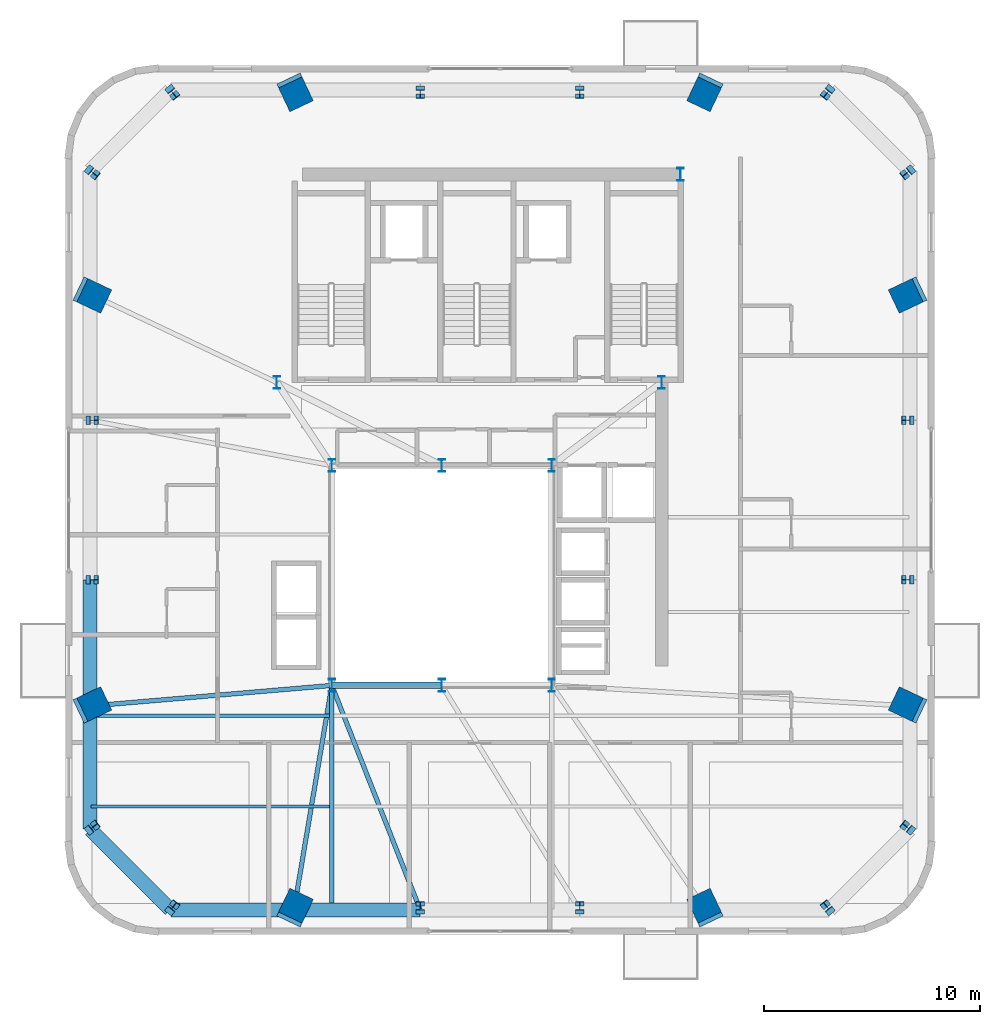
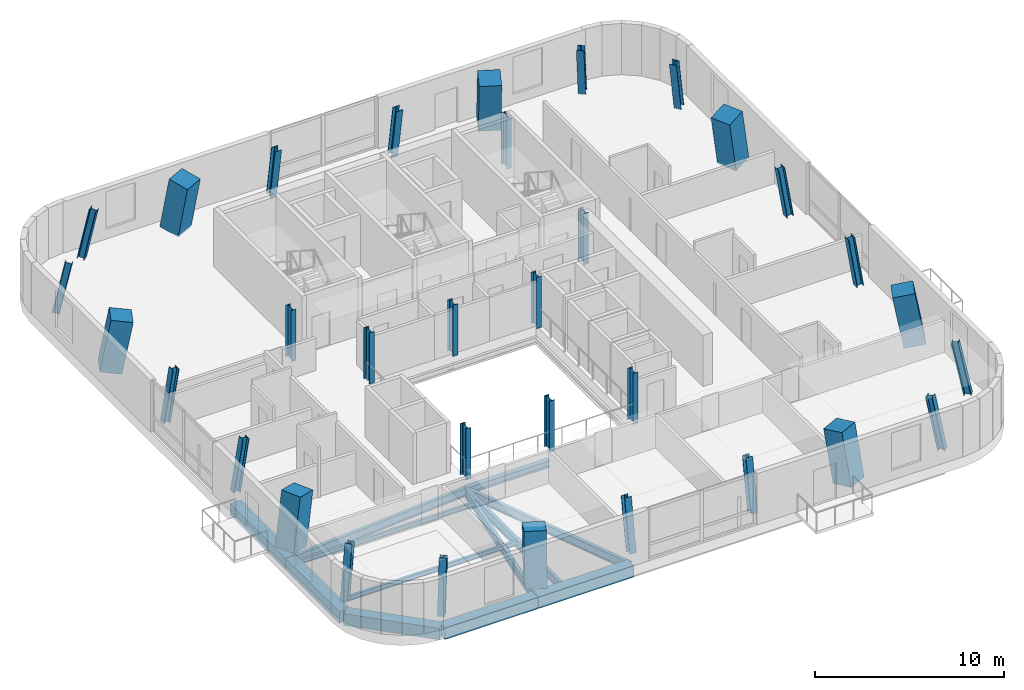
# One storey, part 1 of 13: 33 columns, 12 beams.
"""IFC4 building model written with IfcOpenShell, lengths in metres."""

from ifc_helpers import new_model, si_unit, direction, frame, origin, origin_2d, place, context, subcontext, project, spatial, rectangle, i_section, extrude, source, transform, mapped, material, material_profile, profile_set, type_object, element, save


model = new_model("IFC4")

# Units and contexts
model_context = context("Model", 3, precision=1e-05, world=origin(), true_north=direction((0.0, 1.0)))
body_context = subcontext(model_context, "Body", "Model", "MODEL_VIEW")
ifc_project = project(units=[si_unit("LENGTHUNIT", "METRE"), si_unit("AREAUNIT", "SQUARE_METRE"), si_unit("VOLUMEUNIT", "CUBIC_METRE"), si_unit("PLANEANGLEUNIT", "RADIAN"), si_unit("MASSUNIT", "GRAM", prefix="KILO")], contexts=[model_context])

# Site, building, storey
site_placement = place(None, origin())
site = spatial("IfcSite", under=ifc_project, at=site_placement, CompositionType="ELEMENT")
building_placement = place(site_placement, origin())
building = spatial("IfcBuilding", under=site, at=building_placement, Name="Vardaveli Station Tower", CompositionType="ELEMENT")
storey_placement = place(building_placement, frame((0.0, 0.0, 278.25)))
storey = spatial("IfcBuildingStorey", under=building, at=storey_placement, Name="L71", CompositionType="ELEMENT", Elevation=278.25)

# Columns
ifc_material_1 = material(Name="Structural steel S460M", Category="steel")
ifc_material_profile_1 = material_profile(ifc_material_1, i_section(OverallWidth=0.300048828125, OverallDepth=0.60009765625, WebThickness=0.015380859375, FlangeThickness=0.030029296875, FilletRadius=0.027099609375, at=origin_2d()), Name="HEB 600")
ifc_profile_set_1 = profile_set([ifc_material_profile_1], Name="Structural steel S460M")
column_type_1 = type_object("IfcColumnType", Name="COL-HEB600", PredefinedType="COLUMN", material=ifc_profile_set_1)
shared_shape_1 = source(origin(), body_context, "Body", "SweptSolid", [
    extrude(i_section(OverallWidth=0.300048828125, OverallDepth=0.60009765625, WebThickness=0.015380859375, FlangeThickness=0.030029296875, FilletRadius=0.027099609375, at=origin_2d()), origin(), (0.0, 0.0, 1.0), 3.300048828125),
])
for number, where, z_axis, x_axis, name in (
    (1, (31.199951171875, 16.60009765625, 0.0), (0.0, 0.0, 1.0), (1.0, 0.0, 0.0), "COL-L71-AC1"),
    (2, (36.300048828125, 16.60009765625, 0.0), (0.0, 0.0, 1.0), (1.0, 0.0, 0.0), "COL-L71-AC2"),
    (3, (41.39990234375, 16.60009765625, 0.0), (0.0, 0.0, 1.0), (1.0, 0.0, 0.0), "COL-L71-AC3"),
    (4, (41.39990234375, 26.800048828125, 0.0), (0.0, 0.0, 1.0), (1.0, 0.0, 0.0), "COL-L71-AC4"),
    (5, (36.300048828125, 26.800048828125, 0.0), (0.0, 0.0, 1.0), (1.0, 0.0, 0.0), "COL-L71-AC5"),
    (6, (31.199951171875, 26.800048828125, 0.0), (0.0, 0.0, 1.0), (1.0, 0.0, 0.0), "COL-L71-AC6"),
    (7, (28.64990234375, 30.64990234375, 0.0), (0.0, 0.0, 1.0), (1.0, 0.0, 0.0), "COL-L71-CC1"),
    (8, (46.5, 30.64990234375, 0.0), (0.0, 0.0, 1.0), (1.0, 0.0, 0.0), "COL-L71-CC2"),
    (9, (47.3701171875, 40.300048828125, 0.0), (0.0, 0.0, 1.0), (1.0, 0.0, 0.0), "COL-L71-CC3"),
):
    element("IfcColumn", number, at=place(storey_placement, frame(where, z_axis=z_axis, x_axis=x_axis)), inside=storey, type_object=column_type_1, Name=name, PredefinedType="COLUMN", context=body_context, shape_type="MappedRepresentation", body=[
        mapped(shared_shape_1, transform((0.0, 0.0, 0.0), scale=1.0)),
    ])
ifc_material_2 = material(Name="Concrete C50/60", Category="concrete")
ifc_material_profile_2 = material_profile(ifc_material_2, rectangle(XDim=1.199951171875, YDim=1.199951171875, at=origin_2d()), Name="MC 1200x1200")
ifc_profile_set_2 = profile_set([ifc_material_profile_2], Name="Concrete C50/60")
column_type_2 = type_object("IfcColumnType", Name="COL-MC-1200", PredefinedType="COLUMN", material=ifc_profile_set_2)
shared_shape_2 = source(origin(), body_context, "Body", "SweptSolid", [
    extrude(rectangle(XDim=1.199951171875, YDim=1.199951171875, at=origin_2d()), origin(), (0.0, 0.0, 1.0), 3.353759765625),
])
for number, where, z_axis, x_axis, name in (
    (10, (29.4443359375, 6.18994140625, 0.0), (0.076218873286, 0.161027839264, 0.984002397526), (-0.90386260457, 0.427822851259, 0.0), "COL-L71-MC1"),
    (11, (48.5556640625, 6.18994140625, 0.0), (-0.076218873286, 0.161027839264, 0.984002397526), (-0.90386260457, -0.427822851259, 0.0), "COL-L71-MC2"),
    (12, (58.010009765625, 15.644287109375, 0.0), (-0.161027839264, 0.076218873286, 0.984002397526), (-0.427822851259, -0.90386260457, 0.0), "COL-L71-MC3"),
    (13, (58.010009765625, 34.755615234375, 0.0), (-0.161027839264, -0.076218873286, 0.984002397526), (0.427822851259, -0.90386260457, 0.0), "COL-L71-MC4"),
    (14, (48.5556640625, 44.2099609375, 0.0), (-0.076218873286, -0.161027839264, 0.984002397526), (0.90386260457, -0.427822851259, 0.0), "COL-L71-MC5"),
    (15, (29.4443359375, 44.2099609375, 0.0), (0.076218873286, -0.161027839264, 0.984002397526), (0.90386260457, 0.427822851259, 0.0), "COL-L71-MC6"),
    (16, (19.989990234375, 34.755615234375, 0.0), (0.161027839264, -0.076218873286, 0.984002397526), (0.427822851259, 0.90386260457, 0.0), "COL-L71-MC7"),
    (17, (19.989990234375, 15.644287109375, 0.0), (0.161027839264, 0.076218873286, 0.984002397526), (-0.427822851259, 0.90386260457, 0.0), "COL-L71-MC8"),
):
    element("IfcColumn", number, at=place(storey_placement, frame(where, z_axis=z_axis, x_axis=x_axis)), inside=storey, type_object=column_type_2, Name=name, PredefinedType="COLUMN", context=body_context, shape_type="MappedRepresentation", body=[
        mapped(shared_shape_2, transform((0.0, 0.0, 0.0), scale=1.0)),
    ])
ifc_material_profile_3 = material_profile(ifc_material_1, i_section(OverallWidth=0.405029296875, OverallDepth=0.403076171875, WebThickness=0.017822265625, FlangeThickness=0.02783203125, FilletRadius=0.014892578125, at=origin_2d()), Name="HD 400x287")
ifc_profile_set_3 = profile_set([ifc_material_profile_3], Name="Structural steel S460M")
column_type_3 = type_object("IfcColumnType", Name="COL-HD287", PredefinedType="COLUMN", material=ifc_profile_set_3)
shared_shape_3 = source(origin(), body_context, "Body", "SweptSolid", [
    extrude(i_section(OverallWidth=0.405029296875, OverallDepth=0.403076171875, WebThickness=0.017822265625, FlangeThickness=0.02783203125, FilletRadius=0.014892578125, at=origin_2d()), origin(), (0.0, 0.0, 1.0), 3.37109375),
])
for number, where, z_axis, x_axis, name in (
    (18, (58.010009765625, 9.924072265625, 0.0), (-0.160202703573, 0.126380523389, 0.978960191773), (-0.619356546002, -0.785109845133, 0.0), "COL-L71-PC05"),
    (19, (58.010009765625, 40.47607421875, 0.0), (-0.160202703573, -0.126380523389, 0.978960191773), (0.619356546002, -0.785109845133, 0.0), "COL-L71-PC08"),
    (20, (19.989990234375, 40.47607421875, 0.0), (0.160202703573, -0.126380523389, 0.978960191773), (0.619356546002, 0.785109845133, 0.0), "COL-L71-PC13"),
    (21, (19.989990234375, 9.924072265625, 0.0), (0.160202703573, 0.126380523389, 0.978960191773), (-0.619356546002, 0.785109845133, 0.0), "COL-L71-PC16"),
):
    element("IfcColumn", number, at=place(storey_placement, frame(where, z_axis=z_axis, x_axis=x_axis)), inside=storey, type_object=column_type_3, Name=name, PredefinedType="COLUMN", context=body_context, shape_type="MappedRepresentation", body=[
        mapped(shared_shape_3, transform((0.0, 0.0, 0.0), scale=1.0)),
    ])
shared_shape_4 = source(origin(), body_context, "Body", "SweptSolid", [
    extrude(i_section(OverallWidth=0.405029296875, OverallDepth=0.403076171875, WebThickness=0.017822265625, FlangeThickness=0.02783203125, FilletRadius=0.014892578125, at=origin_2d()), origin(), (0.0, 0.0, 1.0), 3.343994140625),
])
for number, where, z_axis, x_axis, name in (
    (22, (35.300048828125, 6.18994140625, 0.0), (0.0, 0.161497617931, 0.986873101975), (-1.0, 0.0, 0.0), "COL-L71-PC02"),
    (23, (42.699951171875, 6.18994140625, 0.0), (0.0, 0.161497617931, 0.986873101975), (-1.0, 0.0, 0.0), "COL-L71-PC03"),
    (24, (58.010009765625, 21.5, 0.0), (-0.161497617931, 0.0, 0.986873101975), (0.0, -1.0, 0.0), "COL-L71-PC06"),
    (25, (58.010009765625, 28.89990234375, 0.0), (-0.161497617931, 0.0, 0.986873101975), (0.0, -1.0, 0.0), "COL-L71-PC07"),
    (26, (42.699951171875, 44.2099609375, 0.0), (0.0, -0.161497617931, 0.986873101975), (1.0, 0.0, 0.0), "COL-L71-PC10"),
    (27, (35.300048828125, 44.2099609375, 0.0), (0.0, -0.161497617931, 0.986873101975), (1.0, 0.0, 0.0), "COL-L71-PC11"),
    (28, (19.989990234375, 28.89990234375, 0.0), (0.161497617931, 0.0, 0.986873101975), (0.0, 1.0, 0.0), "COL-L71-PC14"),
    (29, (19.989990234375, 21.5, 0.0), (0.161497617931, 0.0, 0.986873101975), (0.0, 1.0, 0.0), "COL-L71-PC15"),
):
    element("IfcColumn", number, at=place(storey_placement, frame(where, z_axis=z_axis, x_axis=x_axis)), inside=storey, type_object=column_type_3, Name=name, PredefinedType="COLUMN", context=body_context, shape_type="MappedRepresentation", body=[
        mapped(shared_shape_4, transform((0.0, 0.0, 0.0), scale=1.0)),
    ])
shared_shape_5 = source(origin(), body_context, "Body", "SweptSolid", [
    extrude(i_section(OverallWidth=0.405029296875, OverallDepth=0.403076171875, WebThickness=0.017822265625, FlangeThickness=0.02783203125, FilletRadius=0.014892578125, at=origin_2d()), origin(), (0.0, 0.0, 1.0), 3.370849609375),
])
for number, where, z_axis, x_axis, name in (
    (30, (23.72412109375, 6.18994140625, 0.0), (0.126309254806, 0.160204169513, 0.97896914978), (-0.785282442908, 0.619137694589, 0.0), "COL-L71-PC01"),
    (31, (54.27587890625, 6.18994140625, 0.0), (-0.126309254806, 0.160204169513, 0.97896914978), (-0.785282442908, -0.619137694589, 0.0), "COL-L71-PC04"),
    (32, (54.27587890625, 44.2099609375, 0.0), (-0.126309254806, -0.160204169513, 0.97896914978), (0.785282442908, -0.619137694589, 0.0), "COL-L71-PC09"),
    (33, (23.72412109375, 44.2099609375, 0.0), (0.126309254806, -0.160204169513, 0.97896914978), (0.785282442908, 0.619137694589, 0.0), "COL-L71-PC12"),
):
    element("IfcColumn", number, at=place(storey_placement, frame(where, z_axis=z_axis, x_axis=x_axis)), inside=storey, type_object=column_type_3, Name=name, PredefinedType="COLUMN", context=body_context, shape_type="MappedRepresentation", body=[
        mapped(shared_shape_5, transform((0.0, 0.0, 0.0), scale=1.0)),
    ])

# Beams
ifc_material_3 = material(Name="Structural steel S355J2", Category="steel")
ifc_material_profile_4 = material_profile(ifc_material_3, i_section(OverallWidth=0.300048828125, OverallDepth=0.449951171875, WebThickness=0.013916015625, FlangeThickness=0.02587890625, FilletRadius=0.027099609375, at=origin_2d()), Name="HEB 450")
ifc_profile_set_4 = profile_set([ifc_material_profile_4], Name="Structural steel S355J2")
beam_type_1 = type_object("IfcBeamType", Name="BM-HEB450", PredefinedType="BEAM", material=ifc_profile_set_4)
shared_shape_6 = source(origin(), body_context, "Body", "SweptSolid", [
    extrude(i_section(OverallWidth=0.300048828125, OverallDepth=0.449951171875, WebThickness=0.013916015625, FlangeThickness=0.02587890625, FilletRadius=0.027099609375, at=origin_2d()), origin(), (0.0, 0.0, 1.0), 5.06005859375),
])
beam_1_placement = place(storey_placement, frame((31.219970703125, 16.60009765625, -0.875), z_axis=(1.0, 0.0, 0.0), x_axis=(0.0, 1.0, 0.0)))
element("IfcBeam", 34, at=beam_1_placement, inside=storey, type_object=beam_type_1, Name="ABM-L71-01", PredefinedType="BEAM", context=body_context, shape_type="MappedRepresentation", body=[
    mapped(shared_shape_6, transform((0.0, 0.0, 0.0), scale=1.0)),
])
ifc_material_4 = material(Name="Precast concrete C45/55", Category="concrete")
ifc_material_profile_5 = material_profile(ifc_material_4, rectangle(XDim=0.64990234375, YDim=0.75, at=origin_2d()), Name="LPB 650x750")
ifc_profile_set_5 = profile_set([ifc_material_profile_5], Name="Precast concrete C45/55")
beam_type_2 = type_object("IfcBeamType", Name="BM-LPB-750", PredefinedType="BEAM", material=ifc_profile_set_5)
shared_shape_7 = source(origin(), body_context, "Body", "SweptSolid", [
    extrude(rectangle(XDim=0.64990234375, YDim=0.75, at=origin_2d()), origin(), (0.0, 0.0, 1.0), 5.815673828125),
])
for number, where, z_axis, x_axis, name in (
    (35, (29.46435546875, 6.18994140625, -1.02490234375), (1.0, 0.0, 0.0), (0.0, 1.0, 0.0), "RBM-L71-01"),
    (36, (19.989990234375, 21.47998046875, -1.02490234375), (0.0, -1.0, 0.0), (1.0, 0.0, 0.0), "RBM-L71-21"),
):
    element("IfcBeam", number, at=place(storey_placement, frame(where, z_axis=z_axis, x_axis=x_axis)), inside=storey, type_object=beam_type_2, Name=name, PredefinedType="BEAM", context=body_context, shape_type="MappedRepresentation", body=[
        mapped(shared_shape_7, transform((0.0, 0.0, 0.0), scale=1.0)),
    ])
shared_shape_8 = source(origin(), body_context, "Body", "SweptSolid", [
    extrude(rectangle(XDim=0.64990234375, YDim=0.75, at=origin_2d()), origin(), (0.0, 0.0, 1.0), 5.680419921875),
])
for number, where, z_axis, x_axis, name in (
    (37, (19.989990234375, 15.62451171875, -1.02490234375), (0.0, -1.0, 0.0), (1.0, 0.0, 0.0), "RBM-L71-22"),
    (38, (23.743896484375, 6.18994140625, -1.02490234375), (1.0, 0.0, 0.0), (0.0, 1.0, 0.0), "RBM-L71-24"),
):
    element("IfcBeam", number, at=place(storey_placement, frame(where, z_axis=z_axis, x_axis=x_axis)), inside=storey, type_object=beam_type_2, Name=name, PredefinedType="BEAM", context=body_context, shape_type="MappedRepresentation", body=[
        mapped(shared_shape_8, transform((0.0, 0.0, 0.0), scale=1.0)),
    ])
shared_shape_9 = source(origin(), body_context, "Body", "SweptSolid", [
    extrude(rectangle(XDim=0.64990234375, YDim=0.75, at=origin_2d()), origin(), (0.0, 0.0, 1.0), 5.24072265625),
])
beam_2_placement = place(storey_placement, frame((20.004150390625, 9.909912109375, -1.02490234375), z_axis=(0.707106781187, -0.707106781187, 0.0), x_axis=(0.707106781187, 0.707106781187, 0.0)))
element("IfcBeam", 39, at=beam_2_placement, inside=storey, type_object=beam_type_2, Name="RBM-L71-23", PredefinedType="BEAM", context=body_context, shape_type="MappedRepresentation", body=[
    mapped(shared_shape_9, transform((0.0, 0.0, 0.0), scale=1.0)),
])
ifc_material_profile_6 = material_profile(ifc_material_3, i_section(OverallWidth=0.2099609375, OverallDepth=0.550048828125, WebThickness=0.010986328125, FlangeThickness=0.01708984375, FilletRadius=0.02392578125, at=origin_2d()), Name="IPE 550")
ifc_profile_set_6 = profile_set([ifc_material_profile_6], Name="Structural steel S355J2")
beam_type_3 = type_object("IfcBeamType", Name="BM-IPE550", PredefinedType="BEAM", material=ifc_profile_set_6)
shared_shape_10 = source(origin(), body_context, "Body", "SweptSolid", [
    extrude(i_section(OverallWidth=0.2099609375, OverallDepth=0.550048828125, WebThickness=0.010986328125, FlangeThickness=0.01708984375, FilletRadius=0.02392578125, at=origin_2d()), origin(), (0.0, 0.0, 1.0), 10.51708984375),
])
beam_3_placement = place(storey_placement, frame((29.44775390625, 6.209716796875, -0.925048828125), z_axis=(0.166303464913, 0.986074620684, 0.0), x_axis=(-0.986074620684, 0.166303464913, 0.0)))
element("IfcBeam", 40, at=beam_3_placement, inside=storey, type_object=beam_type_3, Name="GBM-L71-01", PredefinedType="BEAM", context=body_context, shape_type="MappedRepresentation", body=[
    mapped(shared_shape_10, transform((0.0, 0.0, 0.0), scale=1.0)),
])
shared_shape_11 = source(origin(), body_context, "Body", "SweptSolid", [
    extrude(i_section(OverallWidth=0.2099609375, OverallDepth=0.550048828125, WebThickness=0.010986328125, FlangeThickness=0.01708984375, FilletRadius=0.02392578125, at=origin_2d()), origin(), (0.0, 0.0, 1.0), 11.1484375),
])
beam_4_placement = place(storey_placement, frame((35.292724609375, 6.20849609375, -0.925048828125), z_axis=(-0.366461901042, 0.93043305782, 0.0), x_axis=(-0.93043305782, -0.366461901042, 0.0)))
element("IfcBeam", 41, at=beam_4_placement, inside=storey, type_object=beam_type_3, Name="GBM-L71-02", PredefinedType="BEAM", context=body_context, shape_type="MappedRepresentation", body=[
    mapped(shared_shape_11, transform((0.0, 0.0, 0.0), scale=1.0)),
])
shared_shape_12 = source(origin(), body_context, "Body", "SweptSolid", [
    extrude(i_section(OverallWidth=0.2099609375, OverallDepth=0.550048828125, WebThickness=0.010986328125, FlangeThickness=0.01708984375, FilletRadius=0.02392578125, at=origin_2d()), origin(), (0.0, 0.0, 1.0), 11.210693359375),
])
beam_5_placement = place(storey_placement, frame((20.010009765625, 15.64599609375, -0.925048828125), z_axis=(0.996384879865, 0.084953935618, 0.0), x_axis=(-0.084953935618, 0.996384879865, 0.0)))
element("IfcBeam", 42, at=beam_5_placement, inside=storey, type_object=beam_type_3, Name="GBM-L71-10", PredefinedType="BEAM", context=body_context, shape_type="MappedRepresentation", body=[
    mapped(shared_shape_12, transform((0.0, 0.0, 0.0), scale=1.0)),
])
shared_shape_13 = source(origin(), body_context, "Body", "SweptSolid", [
    extrude(i_section(OverallWidth=0.2099609375, OverallDepth=0.550048828125, WebThickness=0.010986328125, FlangeThickness=0.01708984375, FilletRadius=0.02392578125, at=origin_2d()), origin(), (0.0, 0.0, 1.0), 10.22998046875),
])
beam_6_placement = place(storey_placement, frame((31.199951171875, 6.22998046875, -0.925048828125), z_axis=(0.0, 1.0, 0.0), x_axis=(-1.0, 0.0, 0.0)))
element("IfcBeam", 43, at=beam_6_placement, inside=storey, type_object=beam_type_3, Name="NSM-L71-S1", PredefinedType="BEAM", context=body_context, shape_type="MappedRepresentation", body=[
    mapped(shared_shape_13, transform((0.0, 0.0, 0.0), scale=1.0)),
])
ifc_material_profile_7 = material_profile(ifc_material_3, i_section(OverallWidth=0.14990234375, OverallDepth=0.300048828125, WebThickness=0.007080078125, FlangeThickness=0.0107421875, FilletRadius=0.014892578125, at=origin_2d()), Name="IPE 300")
ifc_profile_set_7 = profile_set([ifc_material_profile_7], Name="Structural steel S355J2")
beam_type_4 = type_object("IfcBeamType", Name="BM-IPE300", PredefinedType="JOIST", material=ifc_profile_set_7)
shared_shape_14 = source(origin(), body_context, "Body", "SweptSolid", [
    extrude(i_section(OverallWidth=0.14990234375, OverallDepth=0.300048828125, WebThickness=0.007080078125, FlangeThickness=0.0107421875, FilletRadius=0.014892578125, at=origin_2d()), origin(), (0.0, 0.0, 1.0), 11.057861328125),
])
for number, where, z_axis, x_axis, name in (
    (44, (20.030029296875, 10.989990234375, -0.800048828125), (1.0, 0.0, 0.0), (0.0, 1.0, 0.0), "SJ-L71-S01"),
    (45, (20.030029296875, 15.18994140625, -0.800048828125), (1.0, 0.0, 0.0), (0.0, 1.0, 0.0), "SJ-L71-S04"),
):
    element("IfcBeam", number, at=place(storey_placement, frame(where, z_axis=z_axis, x_axis=x_axis)), inside=storey, type_object=beam_type_4, Name=name, PredefinedType="JOIST", context=body_context, shape_type="MappedRepresentation", body=[
        mapped(shared_shape_14, transform((0.0, 0.0, 0.0), scale=1.0)),
    ])

save(model, "model.ifc")
